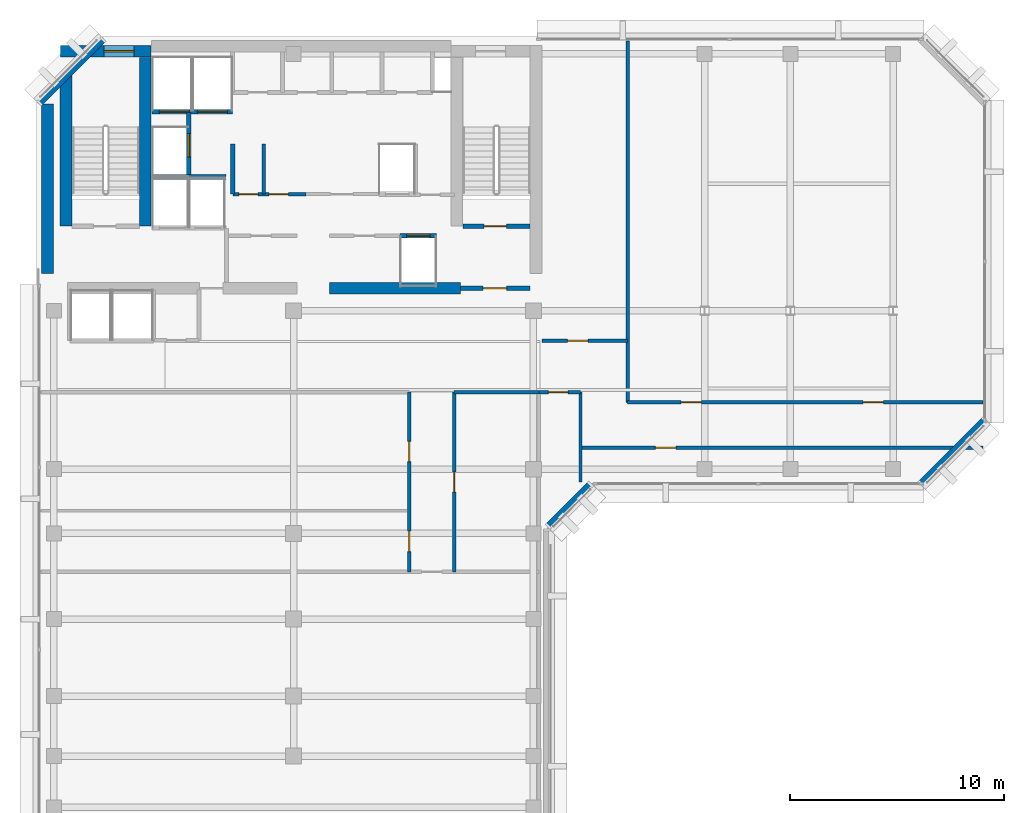
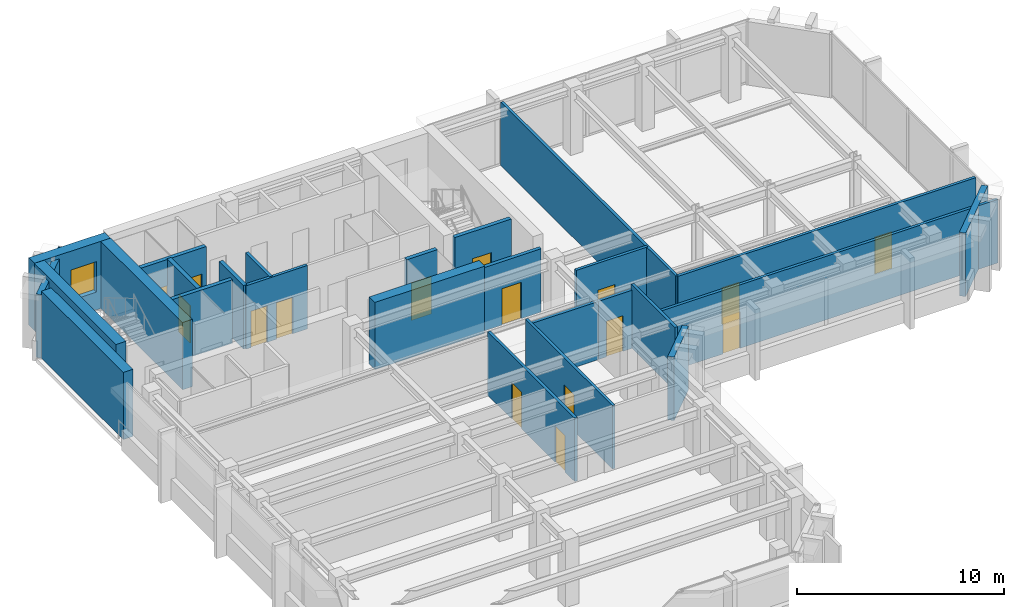
# One storey, part 7 of 11: 26 walls, 16 doors, 1 window, 17 openings.
"""IFC4 building model written with IfcOpenShell, lengths in metres."""

from ifc_helpers import new_model, si_unit, direction, frame, frame_2d, origin, place, context, subcontext, project, spatial, rectangle, extrude, material, layer, layer_set, type_object, element, fill, save


model = new_model("IFC4")

# Units and contexts
model_context = context("Model", 3, precision=1e-05, world=origin(), true_north=direction((0.0, 1.0)))
body_context = subcontext(model_context, "Body", "Model", "MODEL_VIEW")
ifc_project = project(units=[si_unit("LENGTHUNIT", "METRE"), si_unit("AREAUNIT", "SQUARE_METRE"), si_unit("VOLUMEUNIT", "CUBIC_METRE"), si_unit("PLANEANGLEUNIT", "RADIAN"), si_unit("MASSUNIT", "GRAM", prefix="KILO")], contexts=[model_context])

# Site, building, storey
site_placement = place(None, origin())
site = spatial("IfcSite", under=ifc_project, at=site_placement, CompositionType="ELEMENT")
building_placement = place(site_placement, origin())
building = spatial("IfcBuilding", under=site, at=building_placement, Name="Kefirva Bronze Tower", CompositionType="ELEMENT")
storey_placement = place(building_placement, frame((0.0, 0.0, 319.77001953125)))
storey = spatial("IfcBuildingStorey", under=building, at=storey_placement, Name="L78", CompositionType="ELEMENT", Elevation=319.77001953125)

# Wall, opening, door
ifc_material_1 = material(Name="Gypsum fireboard shaftwall")
ifc_layer_1 = layer(ifc_material_1, 0.219970703125, Name="Gypsum fireboard shaftwall")
ifc_layer_set_1 = layer_set([ifc_layer_1], Name="Gypsum fireboard shaftwall")
wall_type_1 = type_object("IfcWallType", Name="Fire-Rated Shaft Enclosure Wall 220mm", PredefinedType="PARTITIONING", material=ifc_layer_set_1)
wall_1_placement = place(storey_placement, frame((19.89990234375, 37.14990234375, 0.0), z_axis=(0.0, 0.0, 1.0), x_axis=(1.0, 0.0, 0.0)))
wall_1 = element("IfcWall", 1, at=wall_1_placement, inside=storey, type_object=wall_type_1, Name="L78 Partition W-L78-ST2S", PredefinedType="PARTITIONING", context=body_context, shape_type="SweptSolid", body=[
    extrude(rectangle(XDim=3.150146484375, YDim=0.219970703125, at=frame_2d((1.5751953125, 0.0))), origin(), (0.0, 0.0, 1.0), 3.739990234375),
])
opening_1_placement = place(wall_1_placement, frame((2.050048828125, 0.0, 0.0), z_axis=(0.0, 0.0, 1.0), x_axis=(-1.0, 0.0, 0.0)))
opening_1 = element("IfcOpeningElement", 2, at=opening_1_placement, cuts=wall_1, Name="Opening L78-D003", PredefinedType="OPENING", context=body_context, shape_type="SweptSolid", body=[
    extrude(rectangle(XDim=1.050048828125, YDim=2.14990234375, at=frame_2d((0.52490234375, 1.074951171875))), frame((0.0, 0.1201171875, 0.0), z_axis=(0.0, -1.0, 0.0), x_axis=(1.0, 0.0, 0.0)), (0.0, 0.0, 1.0), 0.239990234375),
])
ifc_material_2 = material(Name="Painted galvanized steel", Category="steel")
door_type_1 = type_object("IfcDoorType", Name="Fire Stair Enclosure Door 1050x2150 FD90S", OperationType="NOTDEFINED", PredefinedType="DOOR", material=ifc_material_2)
door_1_placement = place(opening_1_placement, origin())
door_1 = element("IfcDoor", 3, at=door_1_placement, inside=storey, type_object=door_type_1, Name="Door L78-D003", OperationType="SINGLE_SWING_RIGHT", OverallHeight=2.14990234375, OverallWidth=1.050048828125, PredefinedType="DOOR", context=body_context, shape_type="SweptSolid", body=[
    extrude(rectangle(XDim=1.050048828125, YDim=2.14990234375, at=frame_2d((0.52490234375, 1.074951171875))), frame((0.0, 0.02490234375, 0.0), z_axis=(0.0, -1.0, 0.0), x_axis=(1.0, 0.0, 0.0)), (0.0, 0.0, 1.0), 0.050048828125),
])
fill(opening_1, door_1)

# Wall
wall_2_placement = place(storey_placement, frame((5.3798828125, 39.449951171875, 0.0), z_axis=(0.0, 0.0, 1.0), x_axis=(1.0, 0.0, 0.0)))
element("IfcWall", 4, at=wall_2_placement, inside=storey, type_object=wall_type_1, Name="L78 Partition W-L78-FFN", PredefinedType="PARTITIONING", context=body_context, shape_type="SweptSolid", body=[
    extrude(rectangle(XDim=3.460205078125, YDim=0.219970703125, at=frame_2d((1.72998046875, 0.0))), origin(), (0.0, 0.0, 1.0), 3.739990234375),
])

# Wall, openings, doors
wall_3_placement = place(storey_placement, frame((5.3798828125, 42.5, 0.0), z_axis=(0.0, 0.0, 1.0), x_axis=(1.0, 0.0, 0.0)))
wall_3 = element("IfcWall", 5, at=wall_3_placement, inside=storey, type_object=wall_type_1, Name="L78 Partition W-L78-SVS", PredefinedType="PARTITIONING", context=body_context, shape_type="SweptSolid", body=[
    extrude(rectangle(XDim=3.77001953125, YDim=0.219970703125, at=frame_2d((1.885009765625, 0.0))), origin(), (0.0, 0.0, 1.0), 3.739990234375),
])
opening_2_placement = place(wall_3_placement, frame((1.75, 0.0, 0.0), z_axis=(0.0, 0.0, 1.0), x_axis=(-1.0, 0.0, 0.0)))
opening_2 = element("IfcOpeningElement", 6, at=opening_2_placement, cuts=wall_3, Name="Opening L78-LD-SV1", PredefinedType="OPENING", context=body_context, shape_type="SweptSolid", body=[
    extrude(rectangle(XDim=1.39990234375, YDim=2.199951171875, at=frame_2d((0.699951171875, 1.10009765625))), frame((0.0, 0.1201171875, 0.0), z_axis=(0.0, -1.0, 0.0), x_axis=(1.0, 0.0, 0.0)), (0.0, 0.0, 1.0), 0.239990234375),
])
opening_3_placement = place(wall_3_placement, frame((3.52978515625, 0.0, 0.0), z_axis=(0.0, 0.0, 1.0), x_axis=(-1.0, 0.0, 0.0)))
opening_3 = element("IfcOpeningElement", 7, at=opening_3_placement, cuts=wall_3, Name="Opening L78-LD-SV2", PredefinedType="OPENING", context=body_context, shape_type="SweptSolid", body=[
    extrude(rectangle(XDim=1.39990234375, YDim=2.199951171875, at=frame_2d((0.699951171875, 1.10009765625))), frame((0.0, 0.1201171875, 0.0), z_axis=(0.0, -1.0, 0.0), x_axis=(1.0, 0.0, 0.0)), (0.0, 0.0, 1.0), 0.239990234375),
])
ifc_material_3 = material(Name="Stainless steel 316", Category="steel")
door_type_2 = type_object("IfcDoorType", Name="Goods Lift Bi-Parting Sliding Door 1400x2200", OperationType="SLIDING_TO_LEFT", PredefinedType="DOOR", material=ifc_material_3)
door_2_placement = place(opening_2_placement, origin())
door_2 = element("IfcDoor", 8, at=door_2_placement, inside=storey, type_object=door_type_2, Name="Door L78-LD-SV1", OperationType="SLIDING_TO_LEFT", OverallHeight=2.199951171875, OverallWidth=1.39990234375, PredefinedType="DOOR", context=body_context, shape_type="SweptSolid", body=[
    extrude(rectangle(XDim=1.39990234375, YDim=2.199951171875, at=frame_2d((0.699951171875, 1.10009765625))), frame((0.0, 0.02490234375, 0.0), z_axis=(0.0, -1.0, 0.0), x_axis=(1.0, 0.0, 0.0)), (0.0, 0.0, 1.0), 0.050048828125),
])
fill(opening_2, door_2)
door_3_placement = place(opening_3_placement, origin())
door_3 = element("IfcDoor", 9, at=door_3_placement, inside=storey, type_object=door_type_2, Name="Door L78-LD-SV2", OperationType="SLIDING_TO_LEFT", OverallHeight=2.199951171875, OverallWidth=1.39990234375, PredefinedType="DOOR", context=body_context, shape_type="SweptSolid", body=[
    extrude(rectangle(XDim=1.39990234375, YDim=2.199951171875, at=frame_2d((0.699951171875, 1.10009765625))), frame((0.0, 0.02490234375, 0.0), z_axis=(0.0, -1.0, 0.0), x_axis=(1.0, 0.0, 0.0)), (0.0, 0.0, 1.0), 0.050048828125),
])
fill(opening_3, door_3)

# Wall, opening, door
wall_4_placement = place(storey_placement, frame((7.10009765625, 39.52001953125, 0.0), z_axis=(0.0, 0.0, 1.0), x_axis=(0.0, 1.0, 0.0)))
wall_4 = element("IfcWall", 10, at=wall_4_placement, inside=storey, type_object=wall_type_1, Name="L78 Partition W-L78-HP3E", PredefinedType="PARTITIONING", context=body_context, shape_type="SweptSolid", body=[
    extrude(rectangle(XDim=2.929931640625, YDim=0.219970703125, at=frame_2d((1.46484375, 0.0))), origin(), (0.0, 0.0, 1.0), 3.739990234375),
])
opening_4_placement = place(wall_4_placement, frame((0.85009765625, 0.0, 0.0)))
opening_4 = element("IfcOpeningElement", 11, at=opening_4_placement, cuts=wall_4, Name="Opening L78-LD-HP3", PredefinedType="OPENING", context=body_context, shape_type="SweptSolid", body=[
    extrude(rectangle(XDim=1.10009765625, YDim=2.199951171875, at=frame_2d((0.550048828125, 1.10009765625))), frame((0.0, 0.1201171875, 0.0), z_axis=(0.0, -1.0, 0.0), x_axis=(1.0, 0.0, 0.0)), (0.0, 0.0, 1.0), 0.239990234375),
])
door_type_3 = type_object("IfcDoorType", Name="Passenger Lift Sliding Landing Door 1100x2200", OperationType="SLIDING_TO_LEFT", PredefinedType="DOOR", material=ifc_material_3)
door_4_placement = place(opening_4_placement, origin())
door_4 = element("IfcDoor", 12, at=door_4_placement, inside=storey, type_object=door_type_3, Name="Door L78-LD-HP3", OperationType="SLIDING_TO_LEFT", OverallHeight=2.199951171875, OverallWidth=1.10009765625, PredefinedType="DOOR", context=body_context, shape_type="SweptSolid", body=[
    extrude(rectangle(XDim=1.10009765625, YDim=2.199951171875, at=frame_2d((0.550048828125, 1.10009765625))), frame((0.0, 0.02490234375, 0.0), z_axis=(0.0, -1.0, 0.0), x_axis=(1.0, 0.0, 0.0)), (0.0, 0.0, 1.0), 0.050048828125),
])
fill(opening_4, door_4)

# Wall
wall_5_placement = place(storey_placement, frame((9.159912109375, 38.64990234375, 0.0), z_axis=(0.0, 0.0, 1.0), x_axis=(0.0, 1.0, 0.0)))
element("IfcWall", 13, at=wall_5_placement, inside=storey, type_object=wall_type_1, Name="L78 Partition W-L78-LP3W", PredefinedType="PARTITIONING", context=body_context, shape_type="SweptSolid", body=[
    extrude(rectangle(XDim=2.35009765625, YDim=0.199951171875, at=frame_2d((1.175048828125, 0.0))), origin(), (0.0, 0.0, 1.0), 3.739990234375),
])

# Wall, opening, door
wall_6_placement = place(storey_placement, frame((16.97998046875, 36.699951171875, 0.0), z_axis=(0.0, 0.0, 1.0), x_axis=(1.0, 0.0, 0.0)))
wall_6 = element("IfcWall", 14, at=wall_6_placement, inside=storey, type_object=wall_type_1, Name="L78 Partition W-L78-HPS", PredefinedType="PARTITIONING", context=body_context, shape_type="SweptSolid", body=[
    extrude(rectangle(XDim=1.699951171875, YDim=0.219970703125, at=frame_2d((0.85009765625, 0.0))), origin(), (0.0, 0.0, 1.0), 3.739990234375),
])
opening_5_placement = place(wall_6_placement, frame((0.300048828125, 0.0, 0.0)))
opening_5 = element("IfcOpeningElement", 15, at=opening_5_placement, cuts=wall_6, Name="Opening L78-LD-HP1", PredefinedType="OPENING", context=body_context, shape_type="SweptSolid", body=[
    extrude(rectangle(XDim=1.10009765625, YDim=2.199951171875, at=frame_2d((0.550048828125, 1.10009765625))), frame((0.0, 0.1201171875, 0.0), z_axis=(0.0, -1.0, 0.0), x_axis=(1.0, 0.0, 0.0)), (0.0, 0.0, 1.0), 0.239990234375),
])
door_5_placement = place(opening_5_placement, origin())
door_5 = element("IfcDoor", 16, at=door_5_placement, inside=storey, type_object=door_type_3, Name="Door L78-LD-HP1", OperationType="SLIDING_TO_LEFT", OverallHeight=2.199951171875, OverallWidth=1.10009765625, PredefinedType="DOOR", context=body_context, shape_type="SweptSolid", body=[
    extrude(rectangle(XDim=1.10009765625, YDim=2.199951171875, at=frame_2d((0.550048828125, 1.10009765625))), frame((0.0, 0.02490234375, 0.0), z_axis=(0.0, -1.0, 0.0), x_axis=(1.0, 0.0, 0.0)), (0.0, 0.0, 1.0), 0.050048828125),
])
fill(opening_5, door_5)

ifc_material_4 = material(Name="Gypsum fireboard barrier")
ifc_layer_2 = layer(ifc_material_4, 0.199951171875, Name="Gypsum fireboard barrier")
ifc_layer_set_2 = layer_set([ifc_layer_2], Name="Gypsum fireboard barrier")
wall_type_2 = type_object("IfcWallType", Name="Firefighting Lobby Barrier Wall 200mm", PredefinedType="PARTITIONING", material=ifc_layer_set_2)
wall_7_placement = place(storey_placement, frame((19.800048828125, 34.25, 0.0), z_axis=(0.0, 0.0, 1.0), x_axis=(1.0, 0.0, 0.0)))
wall_7 = element("IfcWall", 17, at=wall_7_placement, inside=storey, type_object=wall_type_2, Name="L78 Partition W-L78-ST2F", PredefinedType="PARTITIONING", context=body_context, shape_type="SweptSolid", body=[
    extrude(rectangle(XDim=3.25, YDim=0.199951171875, at=frame_2d((1.625, 0.0))), origin(), (0.0, 0.0, 1.0), 3.739990234375),
])
opening_6_placement = place(wall_7_placement, frame((2.150146484375, 0.0, 0.0), z_axis=(0.0, 0.0, 1.0), x_axis=(-1.0, 0.0, 0.0)))
opening_6 = element("IfcOpeningElement", 18, at=opening_6_placement, cuts=wall_7, Name="Opening L78-D004", PredefinedType="OPENING", context=body_context, shape_type="SweptSolid", body=[
    extrude(rectangle(XDim=1.10009765625, YDim=2.14990234375, at=frame_2d((0.550048828125, 1.074951171875))), frame((0.0, 0.10986328125, 0.0), z_axis=(0.0, -1.0, 0.0), x_axis=(1.0, 0.0, 0.0)), (0.0, 0.0, 1.0), 0.219970703125),
])
door_type_4 = type_object("IfcDoorType", Name="Firefighting Lobby Smoke Door 1100x2150 FD60S", OperationType="NOTDEFINED", PredefinedType="DOOR", material=ifc_material_2)
door_6_placement = place(opening_6_placement, origin())
door_6 = element("IfcDoor", 19, at=door_6_placement, inside=storey, type_object=door_type_4, Name="Door L78-D004", OperationType="SINGLE_SWING_LEFT", OverallHeight=2.14990234375, OverallWidth=1.10009765625, PredefinedType="DOOR", context=body_context, shape_type="SweptSolid", body=[
    extrude(rectangle(XDim=1.10009765625, YDim=2.14990234375, at=frame_2d((0.550048828125, 1.074951171875))), frame((0.0, 0.02490234375, 0.0), z_axis=(0.0, -1.0, 0.0), x_axis=(1.0, 0.0, 0.0)), (0.0, 0.0, 1.0), 0.050048828125),
])
fill(opening_6, door_6)

# Walls
ifc_material_5 = material(Name="Precast concrete C40/50", Category="concrete")
ifc_layer_3 = layer(ifc_material_5, 0.320068359375, Name="Precast concrete C40/50")
ifc_layer_set_3 = layer_set([ifc_layer_3], Name="Precast concrete C40/50")
wall_type_3 = type_object("IfcWallType", Name="Precast Insulated Exterior Wall 320mm", PredefinedType="SOLIDWALL", material=ifc_layer_set_3)
wall_8_placement = place(storey_placement, frame((23.92578125, 23.152099609375, 0.0), z_axis=(0.0, 0.0, 1.0), x_axis=(0.707106781187, 0.707106781187, 0.0)))
element("IfcWall", 20, at=wall_8_placement, inside=storey, type_object=wall_type_3, Name="L78 Exterior Facade Wall 3", PredefinedType="SOLIDWALL", context=body_context, shape_type="SweptSolid", body=[
    extrude(rectangle(XDim=2.71826171875, YDim=0.320068359375, at=frame_2d((1.359130859375, 0.0))), origin(), (0.0, 0.0, 1.0), 3.739990234375),
])
for number, where, z_axis, x_axis, name in (
    (21, (41.32568359375, 25.152099609375, 0.0), (0.0, 0.0, 1.0), (0.707136318428, 0.707077242712, 0.0), "L78 Exterior Facade Wall 4"),
    (22, (3.07421875, 45.847900390625, 0.0), (0.0, 0.0, 1.0), (-0.707106781187, -0.707106781187, 0.0), "L78 Exterior Facade Wall 6"),
):
    element("IfcWall", number, at=place(storey_placement, frame(where, z_axis=z_axis, x_axis=x_axis)), inside=storey, type_object=wall_type_3, Name=name, PredefinedType="SOLIDWALL", context=body_context, shape_type="SweptSolid", body=[
        extrude(rectangle(XDim=4.132568359375, YDim=0.320068359375, at=frame_2d((2.06640625, 0.0))), origin(), (0.0, 0.0, 1.0), 3.739990234375),
    ])

# Wall, openings, doors
ifc_material_6 = material(Name="Gypsum acoustic partition")
ifc_layer_4 = layer(ifc_material_6, 0.159912109375, Name="Gypsum acoustic partition")
ifc_layer_set_4 = layer_set([ifc_layer_4], Name="Gypsum acoustic partition")
wall_type_4 = type_object("IfcWallType", Name="Protected Corridor Partition 160mm", PredefinedType="PARTITIONING", material=ifc_layer_set_4)
wall_9_placement = place(storey_placement, frame((9.159912109375, 38.64990234375, 0.0), z_axis=(0.0, 0.0, 1.0), x_axis=(1.0, 0.0, 0.0)))
wall_9 = element("IfcWall", 23, at=wall_9_placement, inside=storey, type_object=wall_type_4, Name="L78 Partition W-L78-RECLP2", PredefinedType="PARTITIONING", context=body_context, shape_type="SweptSolid", body=[
    extrude(rectangle(XDim=3.420166015625, YDim=0.159912109375, at=frame_2d((1.7099609375, 0.0))), origin(), (0.0, 0.0, 1.0), 3.739990234375),
])
opening_7_placement = place(wall_9_placement, frame((1.179931640625, 0.0, 0.0), z_axis=(0.0, 0.0, 1.0), x_axis=(-1.0, 0.0, 0.0)))
opening_7 = element("IfcOpeningElement", 24, at=opening_7_placement, cuts=wall_9, Name="Opening L78-D-RECLP2A", PredefinedType="OPENING", context=body_context, shape_type="SweptSolid", body=[
    extrude(rectangle(XDim=0.89990234375, YDim=2.14990234375, at=frame_2d((0.449951171875, 1.074951171875))), frame((0.0, 0.08984375, 0.0), z_axis=(0.0, -1.0, 0.0), x_axis=(1.0, 0.0, 0.0)), (0.0, 0.0, 1.0), 0.179931640625),
])
opening_8_placement = place(wall_9_placement, frame((2.599853515625, 0.0, 0.0), z_axis=(0.0, 0.0, 1.0), x_axis=(-1.0, 0.0, 0.0)))
opening_8 = element("IfcOpeningElement", 25, at=opening_8_placement, cuts=wall_9, Name="Opening L78-D-RECLP2B", PredefinedType="OPENING", context=body_context, shape_type="SweptSolid", body=[
    extrude(rectangle(XDim=0.89990234375, YDim=2.14990234375, at=frame_2d((0.449951171875, 1.074951171875))), frame((0.0, 0.08984375, 0.0), z_axis=(0.0, -1.0, 0.0), x_axis=(1.0, 0.0, 0.0)), (0.0, 0.0, 1.0), 0.179931640625),
])
door_type_5 = type_object("IfcDoorType", Name="Core Archive & Server Fire Door 900x2150 FD60S", OperationType="NOTDEFINED", PredefinedType="DOOR", material=ifc_material_2)
door_7_placement = place(opening_7_placement, origin())
door_7 = element("IfcDoor", 26, at=door_7_placement, inside=storey, type_object=door_type_5, Name="Door L78-D-RECLP2A", OperationType="SINGLE_SWING_LEFT", OverallHeight=2.14990234375, OverallWidth=0.89990234375, PredefinedType="DOOR", context=body_context, shape_type="SweptSolid", body=[
    extrude(rectangle(XDim=0.89990234375, YDim=2.14990234375, at=frame_2d((0.449951171875, 1.074951171875))), frame((0.0, 0.02490234375, 0.0), z_axis=(0.0, -1.0, 0.0), x_axis=(1.0, 0.0, 0.0)), (0.0, 0.0, 1.0), 0.050048828125),
])
fill(opening_7, door_7)
door_8_placement = place(opening_8_placement, origin())
door_8 = element("IfcDoor", 27, at=door_8_placement, inside=storey, type_object=door_type_5, Name="Door L78-D-RECLP2B", OperationType="SINGLE_SWING_RIGHT", OverallHeight=2.14990234375, OverallWidth=0.89990234375, PredefinedType="DOOR", context=body_context, shape_type="SweptSolid", body=[
    extrude(rectangle(XDim=0.89990234375, YDim=2.14990234375, at=frame_2d((0.449951171875, 1.074951171875))), frame((0.0, 0.02490234375, 0.0), z_axis=(0.0, -1.0, 0.0), x_axis=(1.0, 0.0, 0.0)), (0.0, 0.0, 1.0), 0.050048828125),
])
fill(opening_8, door_8)

# Wall
wall_10_placement = place(storey_placement, frame((10.60009765625, 38.64990234375, 0.0), z_axis=(0.0, 0.0, 1.0), x_axis=(0.0, 1.0, 0.0)))
element("IfcWall", 28, at=wall_10_placement, inside=storey, type_object=wall_type_4, Name="L78 Partition W-L78-RECLP2D", PredefinedType="PARTITIONING", context=body_context, shape_type="SweptSolid", body=[
    extrude(rectangle(XDim=2.35009765625, YDim=0.159912109375, at=frame_2d((1.175048828125, 0.0))), origin(), (0.0, 0.0, 1.0), 3.739990234375),
])

# Wall, openings, doors
wall_11_placement = place(storey_placement, frame((17.39990234375, 21.0, 0.0), z_axis=(0.0, 0.0, 1.0), x_axis=(0.0, 1.0, 0.0)))
wall_11 = element("IfcWall", 29, at=wall_11_placement, inside=storey, type_object=wall_type_4, Name="L78 Partition W-L78-SWCORW", PredefinedType="PARTITIONING", context=body_context, shape_type="SweptSolid", body=[
    extrude(rectangle(XDim=8.39990234375, YDim=0.159912109375, at=frame_2d((4.199951171875, 0.0))), origin(), (0.0, 0.0, 1.0), 3.739990234375),
])
opening_9_placement = place(wall_11_placement, frame((1.90283203125, 0.0, 0.0), z_axis=(0.0, 0.0, 1.0), x_axis=(-1.0, 0.0, 0.0)))
opening_9 = element("IfcOpeningElement", 30, at=opening_9_placement, cuts=wall_11, Name="Opening L78-D-SW1", PredefinedType="OPENING", context=body_context, shape_type="SweptSolid", body=[
    extrude(rectangle(XDim=0.949951171875, YDim=2.14990234375, at=frame_2d((0.47509765625, 1.074951171875))), frame((0.0, 0.08984375, 0.0), z_axis=(0.0, -1.0, 0.0), x_axis=(1.0, 0.0, 0.0)), (0.0, 0.0, 1.0), 0.179931640625),
])
opening_10_placement = place(wall_11_placement, frame((6.10302734375, 0.0, 0.0), z_axis=(0.0, 0.0, 1.0), x_axis=(-1.0, 0.0, 0.0)))
opening_10 = element("IfcOpeningElement", 31, at=opening_10_placement, cuts=wall_11, Name="Opening L78-D-SW2", PredefinedType="OPENING", context=body_context, shape_type="SweptSolid", body=[
    extrude(rectangle(XDim=0.949951171875, YDim=2.14990234375, at=frame_2d((0.47509765625, 1.074951171875))), frame((0.0, 0.08984375, 0.0), z_axis=(0.0, -1.0, 0.0), x_axis=(1.0, 0.0, 0.0)), (0.0, 0.0, 1.0), 0.179931640625),
])
ifc_material_7 = material(Name="Acoustic hardwood oak", Category="wood")
door_type_6 = type_object("IfcDoorType", Name="Office & Meeting Room Door 950x2150", OperationType="NOTDEFINED", PredefinedType="DOOR", material=ifc_material_7)
door_9_placement = place(opening_9_placement, origin())
door_9 = element("IfcDoor", 32, at=door_9_placement, inside=storey, type_object=door_type_6, Name="Door L78-D-SW1", OperationType="SINGLE_SWING_RIGHT", OverallHeight=2.14990234375, OverallWidth=0.949951171875, PredefinedType="DOOR", context=body_context, shape_type="SweptSolid", body=[
    extrude(rectangle(XDim=0.949951171875, YDim=2.14990234375, at=frame_2d((0.47509765625, 1.074951171875))), frame((0.0, 0.02490234375, 0.0), z_axis=(0.0, -1.0, 0.0), x_axis=(1.0, 0.0, 0.0)), (0.0, 0.0, 1.0), 0.050048828125),
])
fill(opening_9, door_9)
door_10_placement = place(opening_10_placement, origin())
door_10 = element("IfcDoor", 33, at=door_10_placement, inside=storey, type_object=door_type_6, Name="Door L78-D-SW2", OperationType="SINGLE_SWING_LEFT", OverallHeight=2.14990234375, OverallWidth=0.949951171875, PredefinedType="DOOR", context=body_context, shape_type="SweptSolid", body=[
    extrude(rectangle(XDim=0.949951171875, YDim=2.14990234375, at=frame_2d((0.47509765625, 1.074951171875))), frame((0.0, 0.02490234375, 0.0), z_axis=(0.0, -1.0, 0.0), x_axis=(1.0, 0.0, 0.0)), (0.0, 0.0, 1.0), 0.050048828125),
])
fill(opening_10, door_10)

# Wall, opening, door
wall_12_placement = place(storey_placement, frame((19.5, 21.0, 0.0), z_axis=(0.0, 0.0, 1.0), x_axis=(0.0, 1.0, 0.0)))
wall_12 = element("IfcWall", 34, at=wall_12_placement, inside=storey, type_object=wall_type_4, Name="L78 Partition W-L78-SECORE", PredefinedType="PARTITIONING", context=body_context, shape_type="SweptSolid", body=[
    extrude(rectangle(XDim=8.39990234375, YDim=0.159912109375, at=frame_2d((4.199951171875, 0.0))), origin(), (0.0, 0.0, 1.0), 3.739990234375),
])
opening_11_placement = place(wall_12_placement, frame((3.72509765625, 0.0, 0.0)))
opening_11 = element("IfcOpeningElement", 35, at=opening_11_placement, cuts=wall_12, Name="Opening L78-D-SE1", PredefinedType="OPENING", context=body_context, shape_type="SweptSolid", body=[
    extrude(rectangle(XDim=0.949951171875, YDim=2.14990234375, at=frame_2d((0.47509765625, 1.074951171875))), frame((0.0, 0.08984375, 0.0), z_axis=(0.0, -1.0, 0.0), x_axis=(1.0, 0.0, 0.0)), (0.0, 0.0, 1.0), 0.179931640625),
])
door_11_placement = place(opening_11_placement, origin())
door_11 = element("IfcDoor", 36, at=door_11_placement, inside=storey, type_object=door_type_6, Name="Door L78-D-SE1", OperationType="SINGLE_SWING_RIGHT", OverallHeight=2.14990234375, OverallWidth=0.949951171875, PredefinedType="DOOR", context=body_context, shape_type="SweptSolid", body=[
    extrude(rectangle(XDim=0.949951171875, YDim=2.14990234375, at=frame_2d((0.47509765625, 1.074951171875))), frame((0.0, 0.02490234375, 0.0), z_axis=(0.0, -1.0, 0.0), x_axis=(1.0, 0.0, 0.0)), (0.0, 0.0, 1.0), 0.050048828125),
])
fill(opening_11, door_11)

# Walls
wall_13_placement = place(storey_placement, frame((19.5, 29.39990234375, 0.0), z_axis=(0.0, 0.0, 1.0), x_axis=(1.0, 0.0, 0.0)))
element("IfcWall", 37, at=wall_13_placement, inside=storey, type_object=wall_type_4, Name="L78 Partition W-L78-NET", PredefinedType="PARTITIONING", context=body_context, shape_type="SweptSolid", body=[
    extrude(rectangle(XDim=3.949951171875, YDim=0.159912109375, at=frame_2d((1.97509765625, 0.0))), origin(), (0.0, 0.0, 1.0), 3.425048828125),
])
wall_14_placement = place(storey_placement, frame((25.39990234375, 25.18994140625, 0.0), z_axis=(0.0, 0.0, 1.0), x_axis=(0.0, 1.0, 0.0)))
element("IfcWall", 38, at=wall_14_placement, inside=storey, type_object=wall_type_4, Name="L78 Partition W-L78-E29W", PredefinedType="PARTITIONING", context=body_context, shape_type="SweptSolid", body=[
    extrude(rectangle(XDim=4.2099609375, YDim=0.159912109375, at=frame_2d((2.10498046875, 0.0))), origin(), (0.0, 0.0, 1.0), 3.739990234375),
])

# Wall, opening, door
wall_15_placement = place(storey_placement, frame((23.60009765625, 31.800048828125, 0.0), z_axis=(0.0, 0.0, 1.0), x_axis=(1.0, 0.0, 0.0)))
wall_15 = element("IfcWall", 39, at=wall_15_placement, inside=storey, type_object=wall_type_4, Name="L78 Partition W-L78-E29N0", PredefinedType="PARTITIONING", context=body_context, shape_type="SweptSolid", body=[
    extrude(rectangle(XDim=4.0, YDim=0.159912109375, at=frame_2d((2.0, 0.0))), origin(), (0.0, 0.0, 1.0), 3.739990234375),
])
opening_12_placement = place(wall_15_placement, frame((1.199951171875, 0.0, 0.0)))
opening_12 = element("IfcOpeningElement", 40, at=opening_12_placement, cuts=wall_15, Name="Opening L78-D-E29NW", PredefinedType="OPENING", context=body_context, shape_type="SweptSolid", body=[
    extrude(rectangle(XDim=0.949951171875, YDim=2.14990234375, at=frame_2d((0.47509765625, 1.074951171875))), frame((0.0, 0.08984375, 0.0), z_axis=(0.0, -1.0, 0.0), x_axis=(1.0, 0.0, 0.0)), (0.0, 0.0, 1.0), 0.179931640625),
])
door_12_placement = place(opening_12_placement, origin())
door_12 = element("IfcDoor", 41, at=door_12_placement, inside=storey, type_object=door_type_6, Name="Door L78-D-E29NW", OperationType="SINGLE_SWING_LEFT", OverallHeight=2.14990234375, OverallWidth=0.949951171875, PredefinedType="DOOR", context=body_context, shape_type="SweptSolid", body=[
    extrude(rectangle(XDim=0.949951171875, YDim=2.14990234375, at=frame_2d((0.47509765625, 1.074951171875))), frame((0.0, 0.02490234375, 0.0), z_axis=(0.0, -1.0, 0.0), x_axis=(1.0, 0.0, 0.0)), (0.0, 0.0, 1.0), 0.050048828125),
])
fill(opening_12, door_12)

# Wall
wall_16_placement = place(storey_placement, frame((27.60009765625, 28.919921875, 0.0), z_axis=(0.0, 0.0, 1.0), x_axis=(0.0, 1.0, 0.0)))
element("IfcWall", 42, at=wall_16_placement, inside=storey, type_object=wall_type_4, Name="L78 Partition W-L78-E29NW", PredefinedType="PARTITIONING", context=body_context, shape_type="SweptSolid", body=[
    extrude(rectangle(XDim=16.89013671875, YDim=0.159912109375, at=frame_2d((8.445068359375, 0.0))), origin(), (0.0, 0.0, 1.0), 3.739990234375),
])

# Wall, opening, door
wall_17_placement = place(storey_placement, frame((25.39990234375, 26.800048828125, 0.0), z_axis=(0.0, 0.0, 1.0), x_axis=(1.0, 0.0, 0.0)))
wall_17 = element("IfcWall", 43, at=wall_17_placement, inside=storey, type_object=wall_type_4, Name="L78 Partition W-L78-E29S", PredefinedType="PARTITIONING", context=body_context, shape_type="SweptSolid", body=[
    extrude(rectangle(XDim=18.81005859375, YDim=0.159912109375, at=frame_2d((9.405029296875, 0.0))), origin(), (0.0, 0.0, 1.0), 3.739990234375),
])
opening_13_placement = place(wall_17_placement, frame((4.449951171875, 0.0, 0.0), z_axis=(0.0, 0.0, 1.0), x_axis=(-1.0, 0.0, 0.0)))
opening_13 = element("IfcOpeningElement", 44, at=opening_13_placement, cuts=wall_17, Name="Opening L78-D-E29S1", PredefinedType="OPENING", context=body_context, shape_type="SweptSolid", body=[
    extrude(rectangle(XDim=0.949951171875, YDim=2.14990234375, at=frame_2d((0.47509765625, 1.074951171875))), frame((0.0, 0.08984375, 0.0), z_axis=(0.0, -1.0, 0.0), x_axis=(1.0, 0.0, 0.0)), (0.0, 0.0, 1.0), 0.179931640625),
])
door_13_placement = place(opening_13_placement, origin())
door_13 = element("IfcDoor", 45, at=door_13_placement, inside=storey, type_object=door_type_6, Name="Door L78-D-E29S1", OperationType="SINGLE_SWING_LEFT", OverallHeight=2.14990234375, OverallWidth=0.949951171875, PredefinedType="DOOR", context=body_context, shape_type="SweptSolid", body=[
    extrude(rectangle(XDim=0.949951171875, YDim=2.14990234375, at=frame_2d((0.47509765625, 1.074951171875))), frame((0.0, 0.02490234375, 0.0), z_axis=(0.0, -1.0, 0.0), x_axis=(1.0, 0.0, 0.0)), (0.0, 0.0, 1.0), 0.050048828125),
])
fill(opening_13, door_13)

# Wall, openings, doors
wall_18_placement = place(storey_placement, frame((27.60009765625, 28.919921875, 0.0), z_axis=(0.0, 0.0, 1.0), x_axis=(1.0, 0.0, 0.0)))
wall_18 = element("IfcWall", 46, at=wall_18_placement, inside=storey, type_object=wall_type_4, Name="L78 Partition W-L78-E29N", PredefinedType="PARTITIONING", context=body_context, shape_type="SweptSolid", body=[
    extrude(rectangle(XDim=16.60986328125, YDim=0.159912109375, at=frame_2d((8.304931640625, 0.0))), origin(), (0.0, 0.0, 1.0), 3.739990234375),
])
opening_14_placement = place(wall_18_placement, frame((2.5, 0.0, 0.0)))
opening_14 = element("IfcOpeningElement", 47, at=opening_14_placement, cuts=wall_18, Name="Opening L78-D-E29BIG1", PredefinedType="OPENING", context=body_context, shape_type="SweptSolid", body=[
    extrude(rectangle(XDim=0.949951171875, YDim=2.14990234375, at=frame_2d((0.47509765625, 1.074951171875))), frame((0.0, 0.08984375, 0.0), z_axis=(0.0, -1.0, 0.0), x_axis=(1.0, 0.0, 0.0)), (0.0, 0.0, 1.0), 0.179931640625),
])
opening_15_placement = place(wall_18_placement, frame((11.0, 0.0, 0.0)))
opening_15 = element("IfcOpeningElement", 48, at=opening_15_placement, cuts=wall_18, Name="Opening L78-D-E29BIG2", PredefinedType="OPENING", context=body_context, shape_type="SweptSolid", body=[
    extrude(rectangle(XDim=0.949951171875, YDim=2.14990234375, at=frame_2d((0.47509765625, 1.074951171875))), frame((0.0, 0.08984375, 0.0), z_axis=(0.0, -1.0, 0.0), x_axis=(1.0, 0.0, 0.0)), (0.0, 0.0, 1.0), 0.179931640625),
])
door_14_placement = place(opening_14_placement, origin())
door_14 = element("IfcDoor", 49, at=door_14_placement, inside=storey, type_object=door_type_6, Name="Door L78-D-E29BIG1", OperationType="SINGLE_SWING_RIGHT", OverallHeight=2.14990234375, OverallWidth=0.949951171875, PredefinedType="DOOR", context=body_context, shape_type="SweptSolid", body=[
    extrude(rectangle(XDim=0.949951171875, YDim=2.14990234375, at=frame_2d((0.47509765625, 1.074951171875))), frame((0.0, 0.02490234375, 0.0), z_axis=(0.0, -1.0, 0.0), x_axis=(1.0, 0.0, 0.0)), (0.0, 0.0, 1.0), 0.050048828125),
])
fill(opening_14, door_14)
door_15_placement = place(opening_15_placement, origin())
door_15 = element("IfcDoor", 50, at=door_15_placement, inside=storey, type_object=door_type_6, Name="Door L78-D-E29BIG2", OperationType="SINGLE_SWING_LEFT", OverallHeight=2.14990234375, OverallWidth=0.949951171875, PredefinedType="DOOR", context=body_context, shape_type="SweptSolid", body=[
    extrude(rectangle(XDim=0.949951171875, YDim=2.14990234375, at=frame_2d((0.47509765625, 1.074951171875))), frame((0.0, 0.02490234375, 0.0), z_axis=(0.0, -1.0, 0.0), x_axis=(1.0, 0.0, 0.0)), (0.0, 0.0, 1.0), 0.050048828125),
])
fill(opening_15, door_15)

# Wall, opening, door
wall_19_placement = place(storey_placement, frame((23.449951171875, 29.39990234375, 0.0), z_axis=(0.0, 0.0, 1.0), x_axis=(1.0, 0.0, 0.0)))
wall_19 = element("IfcWall", 51, at=wall_19_placement, inside=storey, type_object=wall_type_4, Name="L78 Partition W-L78-E29WP", PredefinedType="PARTITIONING", context=body_context, shape_type="SweptSolid", body=[
    extrude(rectangle(XDim=1.949951171875, YDim=0.159912109375, at=frame_2d((0.97509765625, 0.0))), origin(), (0.0, 0.0, 1.0), 3.425048828125),
])
opening_16_placement = place(wall_19_placement, frame((1.369873046875, 0.0, 0.0), z_axis=(0.0, 0.0, 1.0), x_axis=(-1.0, 0.0, 0.0)))
opening_16 = element("IfcOpeningElement", 52, at=opening_16_placement, cuts=wall_19, Name="Opening L78-D-E29WP", PredefinedType="OPENING", context=body_context, shape_type="SweptSolid", body=[
    extrude(rectangle(XDim=0.919921875, YDim=2.10009765625, at=frame_2d((0.4599609375, 1.050048828125))), frame((0.0, 0.08984375, 0.0), z_axis=(0.0, -1.0, 0.0), x_axis=(1.0, 0.0, 0.0)), (0.0, 0.0, 1.0), 0.179931640625),
])
ifc_material_8 = material(Name="Moisture-resistant timber", Category="wood")
door_type_7 = type_object("IfcDoorType", Name="Accessible Sanitary & WC Door 920x2100", OperationType="NOTDEFINED", PredefinedType="DOOR", material=ifc_material_8)
door_16_placement = place(opening_16_placement, origin())
door_16 = element("IfcDoor", 53, at=door_16_placement, inside=storey, type_object=door_type_7, Name="Door L78-D-E29WP", OperationType="SINGLE_SWING_RIGHT", OverallHeight=2.10009765625, OverallWidth=0.919921875, PredefinedType="DOOR", context=body_context, shape_type="SweptSolid", body=[
    extrude(rectangle(XDim=0.919921875, YDim=2.10009765625, at=frame_2d((0.4599609375, 1.050048828125))), frame((0.0, 0.02490234375, 0.0), z_axis=(0.0, -1.0, 0.0), x_axis=(1.0, 0.0, 0.0)), (0.0, 0.0, 1.0), 0.050048828125),
])
fill(opening_16, door_16)

# Wall
ifc_material_9 = material(Name="Concrete C50/60", Category="concrete")
ifc_layer_5 = layer(ifc_material_9, 0.550048828125, Name="Concrete C50/60")
ifc_layer_set_5 = layer_set([ifc_layer_5], Name="Concrete C50/60")
wall_type_5 = type_object("IfcWallType", Name="RC Rear Core Exterior Wall 550mm", PredefinedType="SHEAR", material=ifc_layer_set_5)
wall_20_placement = place(storey_placement, frame((0.5, 34.949951171875, 0.0), z_axis=(0.0, 0.0, 1.0), x_axis=(0.0, 1.0, 0.0)))
element("IfcWall", 54, at=wall_20_placement, inside=storey, type_object=wall_type_5, Name="L78 Rear Core West Shear Wall", PredefinedType="SHEAR", context=body_context, shape_type="SweptSolid", body=[
    extrude(rectangle(XDim=7.900146484375, YDim=0.550048828125, at=frame_2d((3.9501953125, 0.0))), origin(), (0.0, 0.0, 1.0), 3.9599609375),
])

# Wall, opening, window
wall_21_placement = place(storey_placement, frame((1.10009765625, 45.320068359375, 0.0), z_axis=(0.0, 0.0, 1.0), x_axis=(1.0, 0.0, 0.0)))
wall_21 = element("IfcWall", 55, at=wall_21_placement, inside=storey, type_object=wall_type_5, Name="L78 Stair 1 North Shear Wall", PredefinedType="SHEAR", context=body_context, shape_type="SweptSolid", body=[
    extrude(rectangle(XDim=4.239990234375, YDim=0.550048828125, at=frame_2d((2.1201171875, 0.0))), origin(), (0.0, 0.0, 1.0), 3.9599609375),
])
opening_17_placement = place(wall_21_placement, frame((2.050048828125, 0.0, 1.050048828125)))
opening_17 = element("IfcOpeningElement", 56, at=opening_17_placement, cuts=wall_21, Name="Opening WN-03", PredefinedType="OPENING", context=body_context, shape_type="SweptSolid", body=[
    extrude(rectangle(XDim=1.39990234375, YDim=1.800048828125, at=frame_2d((0.699951171875, 0.89990234375))), frame((0.0, 0.28515625, 0.0), z_axis=(0.0, -1.0, 0.0), x_axis=(1.0, 0.0, 0.0)), (0.0, 0.0, 1.0), 0.570068359375),
])
ifc_material_10 = material(Name="Laminated low-E double glazing", Category="glass")
window_type = type_object("IfcWindowType", Name="Rear-Core Stair Daylight Window 1400x1800", PartitioningType="SINGLE_PANEL", PredefinedType="WINDOW", material=ifc_material_10)
window_placement = place(opening_17_placement, origin())
window = element("IfcWindow", 57, at=window_placement, inside=storey, type_object=window_type, Name="L78 Stair 1 Daylight Window", OverallHeight=1.800048828125, OverallWidth=1.39990234375, PartitioningType="SINGLE_PANEL", PredefinedType="WINDOW", context=body_context, shape_type="SweptSolid", body=[
    extrude(rectangle(XDim=1.39990234375, YDim=1.800048828125, at=frame_2d((0.699951171875, 0.89990234375))), frame((0.0, 0.030029296875, 0.0), z_axis=(0.0, -1.0, 0.0), x_axis=(1.0, 0.0, 0.0)), (0.0, 0.0, 1.0), 0.06005859375),
])
fill(opening_17, window)

# Walls
ifc_layer_6 = layer(ifc_material_9, 0.550048828125, Name="Concrete C50/60")
ifc_layer_set_6 = layer_set([ifc_layer_6], Name="Concrete C50/60")
wall_type_6 = type_object("IfcWallType", Name="RC Rear Core Interior Wall 550mm", PredefinedType="SHEAR", material=ifc_layer_set_6)
wall_22_placement = place(storey_placement, frame((13.679931640625, 34.25, 0.0), z_axis=(0.0, 0.0, 1.0), x_axis=(1.0, 0.0, 0.0)))
element("IfcWall", 58, at=wall_22_placement, inside=storey, type_object=wall_type_6, Name="L78 Rear Core South-East Shear Wall", PredefinedType="SHEAR", context=body_context, shape_type="SweptSolid", body=[
    extrude(rectangle(XDim=6.1201171875, YDim=0.550048828125, at=frame_2d((3.06005859375, 0.0))), origin(), (0.0, 0.0, 1.0), 3.9599609375),
])
for number, where, z_axis, x_axis, name in (
    (59, (1.3701171875, 37.14990234375, 0.0), (0.0, 0.0, 1.0), (0.0, 1.0, 0.0), "L78 Stair 1 West Shear Wall"),
    (60, (5.070068359375, 37.14990234375, 0.0), (0.0, 0.0, 1.0), (0.0, 1.0, 0.0), "L78 Stair 1 East Shear Wall"),
):
    element("IfcWall", number, at=place(storey_placement, frame(where, z_axis=z_axis, x_axis=x_axis)), inside=storey, type_object=wall_type_6, Name=name, PredefinedType="SHEAR", context=body_context, shape_type="SweptSolid", body=[
        extrude(rectangle(XDim=7.89013671875, YDim=0.550048828125, at=frame_2d((3.945068359375, 0.0))), origin(), (0.0, 0.0, 1.0), 3.9599609375),
    ])

save(model, "model.ifc")
